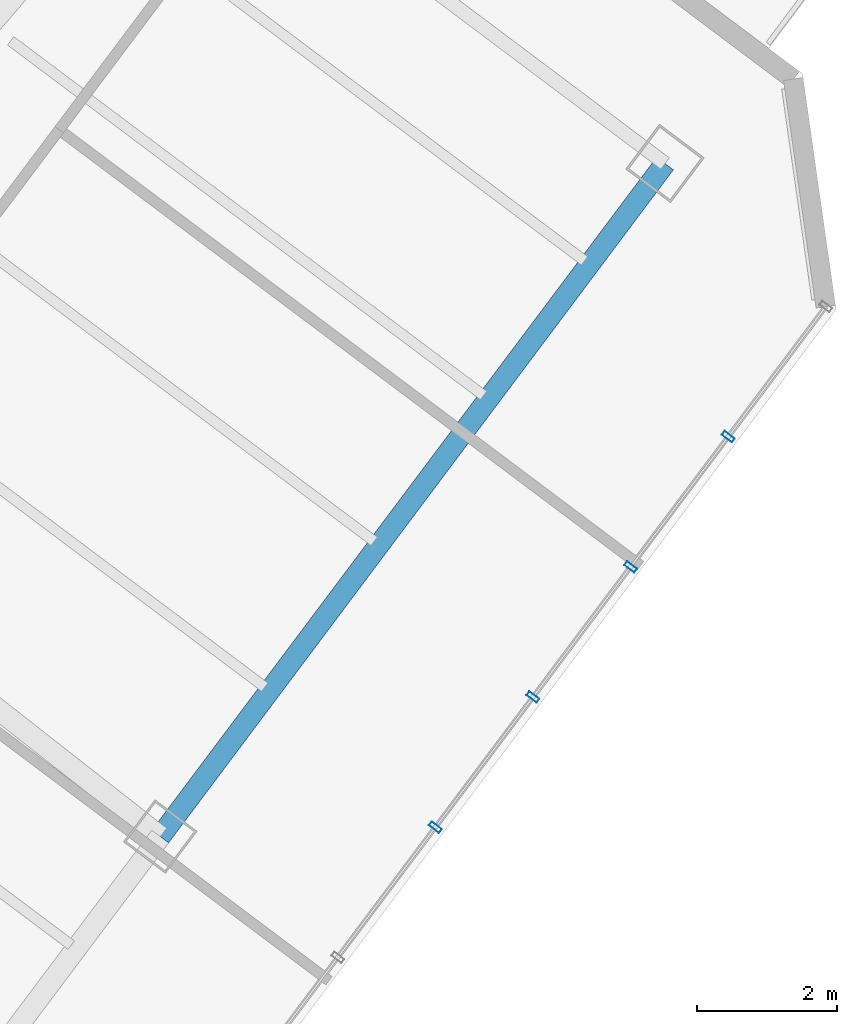
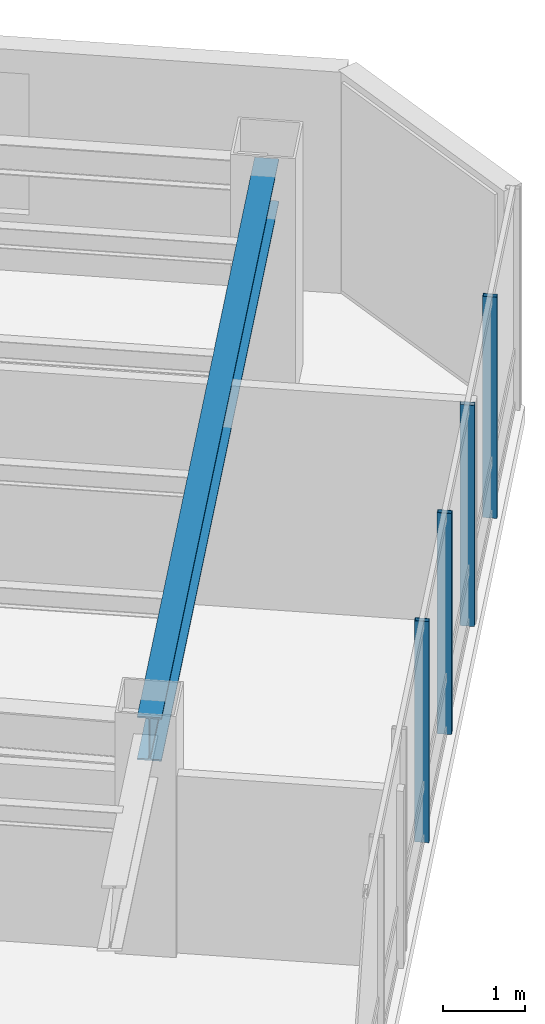
# One storey, part 16 of 29: 4 members, 1 beam, 1 element without a shape of its own.
"""IFC4 building model written with IfcOpenShell, lengths in metres."""

from ifc_helpers import new_model, si_unit, direction, frame, origin, origin_2d, place, context, subcontext, project, spatial, hollow_rectangle, i_section, extrude, material, layer, layer_set, material_profile, profile_set, type_object, element, aggregate, save


model = new_model("IFC4")

# Units and contexts
model_context = context("Model", 3, precision=1e-05, world=origin(), true_north=direction((0.0, 1.0)))
body_context = subcontext(model_context, "Body", "Model", "MODEL_VIEW")
ifc_project = project(units=[si_unit("LENGTHUNIT", "METRE"), si_unit("AREAUNIT", "SQUARE_METRE"), si_unit("VOLUMEUNIT", "CUBIC_METRE"), si_unit("PLANEANGLEUNIT", "RADIAN"), si_unit("MASSUNIT", "GRAM", prefix="KILO")], contexts=[model_context])

# Site, building, storey
site_placement = place(None, origin())
site = spatial("IfcSite", under=ifc_project, at=site_placement, CompositionType="ELEMENT")
building_placement = place(site_placement, origin())
building = spatial("IfcBuilding", under=site, at=building_placement, Name="Hatsunagi Terrace Concourse", CompositionType="ELEMENT")
storey_placement = place(building_placement, frame((0.0, 0.0, 178.050048828125)))
storey = spatial("IfcBuildingStorey", under=building, at=storey_placement, Name="L47", CompositionType="ELEMENT", Elevation=178.050048828125)

# Curtain wall, members
ifc_material_1 = material(Name="Anodised Aluminium Alloy 6063-T5", Category="aluminium")
ifc_layer = layer(ifc_material_1, 0.199951171875)
ifc_layer_set = layer_set([ifc_layer], Name="OfficeZone1_CW03")
curtain_wall_type = type_object("IfcCurtainWallType", Name="OfficeZone1_CW03", PredefinedType="NOTDEFINED", material=ifc_layer_set)
curtain_wall_placement = place(storey_placement, origin())
curtain_wall = element("IfcCurtainWall", 1, at=curtain_wall_placement, inside=storey, type_object=curtain_wall_type, Name="Unitised Curtain Wall CW-03 CW-L47-03", PredefinedType="NOTDEFINED")
ifc_material_2 = material(Name="Anodised Aluminium Alloy 6063-T5", Category="aluminium")
ifc_material_profile_1 = material_profile(ifc_material_2, hollow_rectangle(XDim=0.070068359375, YDim=0.179931640625, WallThickness=0.00390625, at=origin_2d()), Name="ALU-MUL-180x70x4")
ifc_profile_set_1 = profile_set([ifc_material_profile_1], Name="Anodised Aluminium Alloy 6063-T5")
member_type = type_object("IfcMemberType", Name="CurtainWallMullion_180x70", PredefinedType="MULLION", material=ifc_profile_set_1)
member_1_placement = place(storey_placement, frame((59.301025390625, 24.10205078125, 0.0), z_axis=(0.0, 0.0, 1.0), x_axis=(-0.599969314634, -0.800023013105, 0.0)))
member_1 = element("IfcMember", 2, at=member_1_placement, type_object=member_type, Name="Curtain Wall Mullion MUL-02", PredefinedType="MULLION", context=body_context, shape_type="SweptSolid", body=[
    extrude(hollow_rectangle(XDim=0.070068359375, YDim=0.179931640625, WallThickness=0.00390625, at=origin_2d()), origin(), (0.0, 0.0, 1.0), 3.300048828125),
])
member_2_placement = place(storey_placement, frame((57.908935546875, 22.2451171875, 0.0), z_axis=(0.0, 0.0, 1.0), x_axis=(-0.599969314634, -0.800023013105, 0.0)))
member_2 = element("IfcMember", 3, at=member_2_placement, type_object=member_type, Name="Curtain Wall Mullion MUL-02", PredefinedType="MULLION", context=body_context, shape_type="SweptSolid", body=[
    extrude(hollow_rectangle(XDim=0.070068359375, YDim=0.179931640625, WallThickness=0.00390625, at=origin_2d()), origin(), (0.0, 0.0, 1.0), 3.300048828125),
])
member_3_placement = place(storey_placement, frame((56.51611328125, 20.388916015625, 0.0), z_axis=(0.0, 0.0, 1.0), x_axis=(-0.599969314634, -0.800023013105, 0.0)))
member_3 = element("IfcMember", 4, at=member_3_placement, type_object=member_type, Name="Curtain Wall Mullion MUL-02", PredefinedType="MULLION", context=body_context, shape_type="SweptSolid", body=[
    extrude(hollow_rectangle(XDim=0.070068359375, YDim=0.179931640625, WallThickness=0.00390625, at=origin_2d()), origin(), (0.0, 0.0, 1.0), 3.300048828125),
])
member_4_placement = place(storey_placement, frame((55.1240234375, 18.531982421875, 0.0), z_axis=(0.0, 0.0, 1.0), x_axis=(-0.599969314634, -0.800023013105, 0.0)))
member_4 = element("IfcMember", 5, at=member_4_placement, type_object=member_type, Name="Curtain Wall Mullion MUL-02", PredefinedType="MULLION", context=body_context, shape_type="SweptSolid", body=[
    extrude(hollow_rectangle(XDim=0.070068359375, YDim=0.179931640625, WallThickness=0.00390625, at=origin_2d()), origin(), (0.0, 0.0, 1.0), 3.300048828125),
])
aggregate(curtain_wall, [member_1, member_2, member_3, member_4])

# Beam
ifc_material_3 = material(Name="Steel SN490B", Category="steel")
ifc_material_profile_2 = material_profile(ifc_material_3, i_section(OverallWidth=0.300048828125, OverallDepth=0.64990234375, WebThickness=0.012939453125, FlangeThickness=0.02197265625, FilletRadius=0.01806640625, at=origin_2d()), Name="H-650x300x13x22")
ifc_profile_set_2 = profile_set([ifc_material_profile_2], Name="Steel SN490B")
beam_type = type_object("IfcBeamType", Name="OfficeLowGirder_H_650x300", PredefinedType="BEAM", material=ifc_profile_set_2)
beam_placement = place(storey_placement, frame((51.199951171875, 18.39990234375, 2.974853515625), z_axis=(0.59999348959, 0.800004882766, 0.0), x_axis=(-0.800004882766, 0.59999348959, 0.0)))
element("IfcBeam", 6, at=beam_placement, inside=storey, type_object=beam_type, Name="Beam G-05 BM-L47-SET-2B", PredefinedType="BEAM", context=body_context, shape_type="SweptSolid", body=[
    extrude(i_section(OverallWidth=0.300048828125, OverallDepth=0.64990234375, WebThickness=0.012939453125, FlangeThickness=0.02197265625, FilletRadius=0.01806640625, at=origin_2d()), origin(), (0.0, 0.0, 1.0), 12.0),
])

save(model, "model.ifc")
